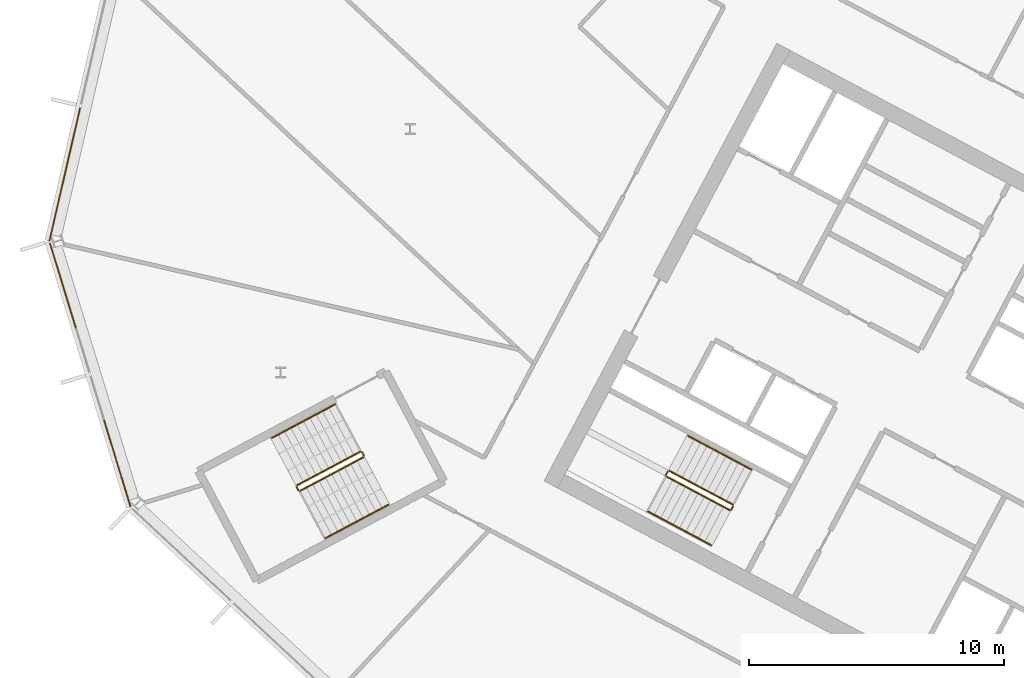
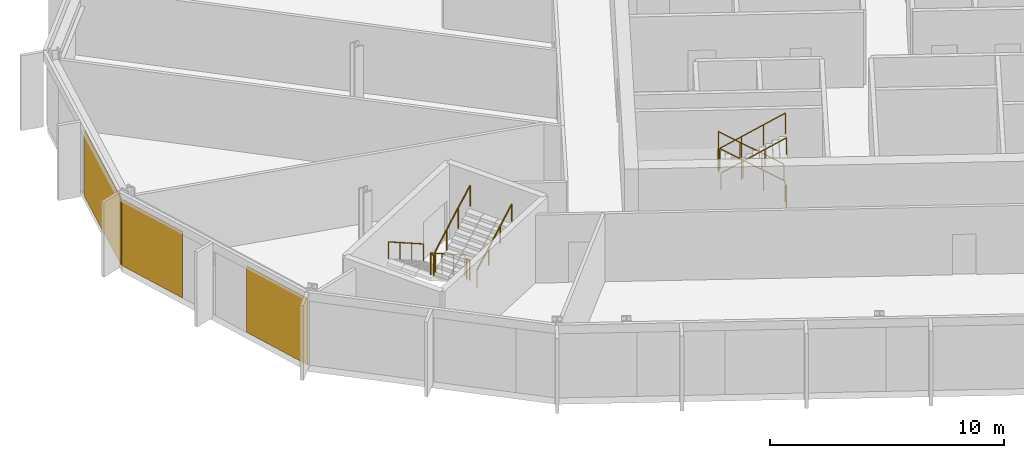
# One storey, part 21 of 27: 12 railings, 3 coverings, 2 elements without a shape of their own.
"""IFC4 building model written with IfcOpenShell, lengths in metres."""

from ifc_helpers import new_model, si_unit, direction, frame, origin, origin_2d, place, context, subcontext, project, spatial, polyline, rectangle, outline, extrude, material, layer, layer_set, type_object, element, aggregate, save


model = new_model("IFC4")

# Units and contexts
model_context = context("Model", 3, precision=1e-05, world=origin(), true_north=direction((0.0, 1.0)))
body_context = subcontext(model_context, "Body", "Model", "MODEL_VIEW")
ifc_project = project(units=[si_unit("LENGTHUNIT", "METRE"), si_unit("AREAUNIT", "SQUARE_METRE"), si_unit("VOLUMEUNIT", "CUBIC_METRE"), si_unit("PLANEANGLEUNIT", "RADIAN"), si_unit("MASSUNIT", "GRAM", prefix="KILO")], contexts=[model_context])

# Site, building, storey
site_placement = place(None, origin())
site = spatial("IfcSite", under=ifc_project, at=site_placement, CompositionType="ELEMENT")
building_placement = place(site_placement, origin())
building = spatial("IfcBuilding", under=site, at=building_placement, Name="Cormorant Relay Tower", CompositionType="ELEMENT")
storey_placement = place(building_placement, frame((0.0, 0.0, 201.300048828125)))
storey = spatial("IfcBuildingStorey", under=building, at=storey_placement, Name="L43", CompositionType="ELEMENT", Elevation=201.300048828125)

# Curtain wall, covering
ifc_material_1 = material(Name="Aluminium 6063-T6 anodised bronze", Category="aluminium")
ifc_layer_1 = layer(ifc_material_1, 0.199951171875)
ifc_layer_set_1 = layer_set([ifc_layer_1], Name="CW1 unitised bronze curtain wall with vertical fins")
curtain_wall_type = type_object("IfcCurtainWallType", Name="CW1 unitised bronze curtain wall with vertical fins", PredefinedType="NOTDEFINED", material=ifc_layer_set_1)
curtain_wall_1_placement = place(storey_placement, origin())
curtain_wall_1 = element("IfcCurtainWall", 1, at=curtain_wall_1_placement, inside=storey, type_object=curtain_wall_type, Name="CW1 curtain wall 13", PredefinedType="NOTDEFINED")
ifc_material_2 = material(Name="Pale bronze anodised aluminium insulated panel", Category="aluminium")
ifc_layer_2 = layer(ifc_material_2, 0.0400390625)
ifc_layer_set_2 = layer_set([ifc_layer_2], Name="CW1 pale bronze insulated panel 40")
covering_type = type_object("IfcCoveringType", Name="CW1 pale bronze insulated panel 40", PredefinedType="CLADDING", material=ifc_layer_set_2)
covering_1_placement = place(storey_placement, frame((-60.136474609375, 23.00927734375, 0.0), z_axis=(0.0, 0.0, 1.0), x_axis=(-0.224951054344, -0.974370064785, 0.0)))
covering_1 = element("IfcCovering", 2, at=covering_1_placement, type_object=covering_type, Name="CW1 panel S02", PredefinedType="CLADDING", context=body_context, shape_type="SweptSolid", body=[
    extrude(rectangle(XDim=5.360107421875, YDim=0.0400390625, at=origin_2d()), origin(), (0.0, 0.0, 1.0), 3.449951171875),
])
aggregate(curtain_wall_1, [covering_1])

# Curtain wall, coverings
curtain_wall_2_placement = place(storey_placement, origin())
curtain_wall_2 = element("IfcCurtainWall", 3, at=curtain_wall_2_placement, inside=storey, type_object=curtain_wall_type, Name="CW1 curtain wall 14", PredefinedType="NOTDEFINED")
covering_2_placement = place(storey_placement, frame((-60.20751953125, 18.6494140625, 0.0), z_axis=(0.0, 0.0, 1.0), x_axis=(0.292371704723, -0.956304755963, 0.0)))
covering_2 = element("IfcCovering", 4, at=covering_2_placement, type_object=covering_type, Name="CW1 panel S00", PredefinedType="CLADDING", context=body_context, shape_type="SweptSolid", body=[
    extrude(rectangle(XDim=3.485107421875, YDim=0.0400390625, at=origin_2d()), origin(), (0.0, 0.0, 1.0), 3.449951171875),
])
covering_3_placement = place(storey_placement, frame((-58.081298828125, 11.6943359375, 0.0), z_axis=(0.0, 0.0, 1.0), x_axis=(0.292371704723, -0.956304755963, 0.0)))
covering_3 = element("IfcCovering", 5, at=covering_3_placement, type_object=covering_type, Name="CW1 panel S03", PredefinedType="CLADDING", context=body_context, shape_type="SweptSolid", body=[
    extrude(rectangle(XDim=3.560302734375, YDim=0.0400390625, at=origin_2d()), origin(), (0.0, 0.0, 1.0), 3.449951171875),
])
aggregate(curtain_wall_2, [covering_2, covering_3])

# Railings
ifc_material_3 = material(Name="Steel ASTM A572 Grade 50 (Fy 345 MPa)", Category="steel")
railing_type_1 = type_object("IfcRailingType", Name="Stair guard 1100", PredefinedType="GUARDRAIL", material=ifc_material_3)
railing_1_placement = place(storey_placement, frame((-33.9921875, 10.08935546875, 0.17724609375)))
element("IfcRailing", 6, at=railing_1_placement, inside=storey, type_object=railing_type_1, Name="L43 A2 stair guard 1", PredefinedType="GUARDRAIL", context=body_context, shape_type="SweptSolid", body=[
    extrude(outline(polyline([(0.022216796875, 0.00927734375), (0.00927734375, 0.022216796875), (-0.00927734375, 0.022216796875), (-0.022216796875, 0.00927734375), (-0.022216796875, -0.00927734375), (-0.00927734375, -0.022216796875), (0.00927734375, -0.022216796875), (0.022216796875, -0.00927734375), (0.022216796875, 0.00927734375)])), frame((0.0, 0.0, 1.076171875), z_axis=(-0.746001213114, 0.396649272309, 0.534931345884), x_axis=(-0.469465464807, -0.882950835185, 0.0)), (0.0, 0.0, 1.0), 3.31396484375),
    extrude(outline(polyline([(0.019287109375, 0.008056640625), (0.008056640625, 0.019287109375), (-0.008056640625, 0.019287109375), (-0.019287109375, 0.008056640625), (-0.019287109375, -0.008056640625), (-0.008056640625, -0.019287109375), (0.008056640625, -0.019287109375), (0.019287109375, -0.008056640625), (0.019287109375, 0.008056640625)])), origin(), (0.0, 0.0, 1.0), 1.052001953125),
    extrude(outline(polyline([(0.019287109375, 0.008056640625), (0.008056640625, 0.019287109375), (-0.008056640625, 0.019287109375), (-0.019287109375, 0.008056640625), (-0.019287109375, -0.008056640625), (-0.008056640625, -0.019287109375), (0.008056640625, -0.019287109375), (0.019287109375, -0.008056640625), (0.019287109375, 0.008056640625)])), frame((-0.823974609375, 0.438232421875, 0.5908203125)), (0.0, 0.0, 1.0), 1.052001953125),
    extrude(outline(polyline([(0.019287109375, 0.008056640625), (0.008056640625, 0.019287109375), (-0.008056640625, 0.019287109375), (-0.019287109375, 0.008056640625), (-0.019287109375, -0.008056640625), (-0.008056640625, -0.019287109375), (0.008056640625, -0.019287109375), (0.019287109375, -0.008056640625), (0.019287109375, 0.008056640625)])), frame((-1.648193359375, 0.876220703125, 1.181884765625)), (0.0, 0.0, 1.0), 1.052001953125),
    extrude(outline(polyline([(0.019287109375, 0.008056640625), (0.008056640625, 0.019287109375), (-0.008056640625, 0.019287109375), (-0.019287109375, 0.008056640625), (-0.019287109375, -0.008056640625), (-0.008056640625, -0.019287109375), (0.008056640625, -0.019287109375), (0.019287109375, -0.008056640625), (0.019287109375, 0.008056640625)])), frame((-2.47216796875, 1.314453125, 1.772705078125)), (0.0, 0.0, 1.0), 1.052001953125),
])
railing_2_placement = place(storey_placement, frame((-36.531982421875, 11.38330078125, 1.949951171875)))
element("IfcRailing", 7, at=railing_2_placement, inside=storey, type_object=railing_type_1, Name="L43 A2 stair guard 2", PredefinedType="GUARDRAIL", context=body_context, shape_type="SweptSolid", body=[
    extrude(outline(polyline([(0.022216796875, 0.00927734375), (0.00927734375, 0.022216796875), (-0.00927734375, 0.022216796875), (-0.022216796875, 0.00927734375), (-0.022216796875, -0.00927734375), (-0.00927734375, -0.022216796875), (0.00927734375, -0.022216796875), (0.022216796875, -0.00927734375), (0.022216796875, 0.00927734375)])), frame((0.0, 0.0, 1.076171875), z_axis=(-0.469828648786, -0.882757634224, 0.0), x_axis=(0.882757634224, -0.469828648786, 0.0)), (0.0, 0.0, 1.0), 0.150146484375),
    extrude(outline(polyline([(0.019287109375, 0.008056640625), (0.008056640625, 0.019287109375), (-0.008056640625, 0.019287109375), (-0.019287109375, 0.008056640625), (-0.019287109375, -0.008056640625), (-0.008056640625, -0.019287109375), (0.008056640625, -0.019287109375), (0.019287109375, -0.008056640625), (0.019287109375, 0.008056640625)])), origin(), (0.0, 0.0, 1.0), 1.052001953125),
    extrude(outline(polyline([(0.019287109375, 0.008056640625), (0.008056640625, 0.019287109375), (-0.008056640625, 0.019287109375), (-0.019287109375, 0.008056640625), (-0.019287109375, -0.008056640625), (-0.008056640625, -0.019287109375), (0.008056640625, -0.019287109375), (0.019287109375, -0.008056640625), (0.019287109375, 0.008056640625)])), frame((-0.070556640625, -0.132568359375, 0.0)), (0.0, 0.0, 1.0), 1.052001953125),
])
railing_3_placement = place(storey_placement, frame((-36.581787109375, 11.18310546875, 2.127197265625)))
element("IfcRailing", 8, at=railing_3_placement, inside=storey, type_object=railing_type_1, Name="L43 A2 stair guard 3", PredefinedType="GUARDRAIL", context=body_context, shape_type="SweptSolid", body=[
    extrude(outline(polyline([(0.022216796875, 0.00927734375), (0.00927734375, 0.022216796875), (-0.00927734375, 0.022216796875), (-0.022216796875, 0.00927734375), (-0.022216796875, -0.00927734375), (-0.00927734375, -0.022216796875), (0.00927734375, -0.022216796875), (0.022216796875, -0.00927734375), (0.022216796875, 0.00927734375)])), frame((0.0, 0.0, 1.076171875), z_axis=(0.746001213114, -0.396649272309, 0.534931345884), x_axis=(0.469465464807, 0.882950835185, 0.0)), (0.0, 0.0, 1.0), 3.31396484375),
    extrude(outline(polyline([(0.019287109375, 0.008056640625), (0.008056640625, 0.019287109375), (-0.008056640625, 0.019287109375), (-0.019287109375, 0.008056640625), (-0.019287109375, -0.008056640625), (-0.008056640625, -0.019287109375), (0.008056640625, -0.019287109375), (0.019287109375, -0.008056640625), (0.019287109375, 0.008056640625)])), origin(), (0.0, 0.0, 1.0), 1.052001953125),
    extrude(outline(polyline([(0.019287109375, 0.008056640625), (0.008056640625, 0.019287109375), (-0.008056640625, 0.019287109375), (-0.019287109375, 0.008056640625), (-0.019287109375, -0.008056640625), (-0.008056640625, -0.019287109375), (0.008056640625, -0.019287109375), (0.019287109375, -0.008056640625), (0.019287109375, 0.008056640625)])), frame((0.823974609375, -0.438232421875, 0.5908203125)), (0.0, 0.0, 1.0), 1.052001953125),
    extrude(outline(polyline([(0.019287109375, 0.008056640625), (0.008056640625, 0.019287109375), (-0.008056640625, 0.019287109375), (-0.019287109375, 0.008056640625), (-0.019287109375, -0.008056640625), (-0.008056640625, -0.019287109375), (0.008056640625, -0.019287109375), (0.019287109375, -0.008056640625), (0.019287109375, 0.008056640625)])), frame((1.648193359375, -0.876220703125, 1.181884765625)), (0.0, 0.0, 1.0), 1.052001953125),
    extrude(outline(polyline([(0.019287109375, 0.008056640625), (0.008056640625, 0.019287109375), (-0.008056640625, 0.019287109375), (-0.019287109375, 0.008056640625), (-0.019287109375, -0.008056640625), (-0.008056640625, -0.019287109375), (0.008056640625, -0.019287109375), (0.019287109375, -0.008056640625), (0.019287109375, 0.008056640625)])), frame((2.47216796875, -1.314453125, 1.772705078125)), (0.0, 0.0, 1.0), 1.052001953125),
])
railing_4_placement = place(storey_placement, frame((-33.971435546875, 10.021728515625, 0.0)))
element("IfcRailing", 9, at=railing_4_placement, inside=storey, type_object=railing_type_1, Name="L43 A2 stair guard 4", PredefinedType="GUARDRAIL", context=body_context, shape_type="SweptSolid", body=[
    extrude(outline(polyline([(0.022216796875, 0.00927734375), (0.00927734375, 0.022216796875), (-0.00927734375, 0.022216796875), (-0.022216796875, 0.00927734375), (-0.022216796875, -0.00927734375), (-0.00927734375, -0.022216796875), (0.00927734375, -0.022216796875), (0.022216796875, -0.00927734375), (0.022216796875, 0.00927734375)])), frame((0.0, 0.0, 1.076171875), z_axis=(-0.470503732759, -0.882398003998, 0.0), x_axis=(0.882398003998, -0.470503732759, 0.0)), (0.0, 0.0, 1.0), 0.14990234375),
    extrude(outline(polyline([(0.019287109375, 0.008056640625), (0.008056640625, 0.019287109375), (-0.008056640625, 0.019287109375), (-0.019287109375, 0.008056640625), (-0.019287109375, -0.008056640625), (-0.008056640625, -0.019287109375), (0.008056640625, -0.019287109375), (0.019287109375, -0.008056640625), (0.019287109375, 0.008056640625)])), origin(), (0.0, 0.0, 1.0), 1.052001953125),
    extrude(outline(polyline([(0.019287109375, 0.008056640625), (0.008056640625, 0.019287109375), (-0.008056640625, 0.019287109375), (-0.019287109375, 0.008056640625), (-0.019287109375, -0.008056640625), (-0.008056640625, -0.019287109375), (0.008056640625, -0.019287109375), (0.019287109375, -0.008056640625), (0.019287109375, 0.008056640625)])), frame((-0.070556640625, -0.13232421875, 0.0)), (0.0, 0.0, 1.0), 1.052001953125),
])
railing_5_placement = place(storey_placement, frame((-48.5693359375, 12.155517578125, 0.17724609375)))
element("IfcRailing", 10, at=railing_5_placement, inside=storey, type_object=railing_type_1, Name="L43 RP1 stair guard 1", PredefinedType="GUARDRAIL", context=body_context, shape_type="SweptSolid", body=[
    extrude(outline(polyline([(0.022216796875, 0.00927734375), (0.00927734375, 0.022216796875), (-0.00927734375, 0.022216796875), (-0.022216796875, 0.00927734375), (-0.022216796875, -0.00927734375), (-0.00927734375, -0.022216796875), (0.00927734375, -0.022216796875), (0.022216796875, -0.00927734375), (0.022216796875, 0.00927734375)])), frame((0.0, 0.0, 1.076171875), z_axis=(-0.746012083385, -0.396689549623, 0.534886317514), x_axis=(0.469497295046, -0.882933910293, 0.0)), (0.0, 0.0, 1.0), 3.314208984375),
    extrude(outline(polyline([(0.019287109375, 0.008056640625), (0.008056640625, 0.019287109375), (-0.008056640625, 0.019287109375), (-0.019287109375, 0.008056640625), (-0.019287109375, -0.008056640625), (-0.008056640625, -0.019287109375), (0.008056640625, -0.019287109375), (0.019287109375, -0.008056640625), (0.019287109375, 0.008056640625)])), origin(), (0.0, 0.0, 1.0), 1.052001953125),
    extrude(outline(polyline([(0.019287109375, 0.008056640625), (0.008056640625, 0.019287109375), (-0.008056640625, 0.019287109375), (-0.019287109375, 0.008056640625), (-0.019287109375, -0.008056640625), (-0.008056640625, -0.019287109375), (0.008056640625, -0.019287109375), (0.019287109375, -0.008056640625), (0.019287109375, 0.008056640625)])), frame((-0.82421875, -0.438232421875, 0.5908203125)), (0.0, 0.0, 1.0), 1.052001953125),
    extrude(outline(polyline([(0.019287109375, 0.008056640625), (0.008056640625, 0.019287109375), (-0.008056640625, 0.019287109375), (-0.019287109375, 0.008056640625), (-0.019287109375, -0.008056640625), (-0.008056640625, -0.019287109375), (0.008056640625, -0.019287109375), (0.019287109375, -0.008056640625), (0.019287109375, 0.008056640625)])), frame((-1.648193359375, -0.87646484375, 1.181884765625)), (0.0, 0.0, 1.0), 1.052001953125),
    extrude(outline(polyline([(0.019287109375, 0.008056640625), (0.008056640625, 0.019287109375), (-0.008056640625, 0.019287109375), (-0.019287109375, 0.008056640625), (-0.019287109375, -0.008056640625), (-0.008056640625, -0.019287109375), (0.008056640625, -0.019287109375), (0.019287109375, -0.008056640625), (0.019287109375, 0.008056640625)])), frame((-2.472412109375, -1.314697265625, 1.772705078125)), (0.0, 0.0, 1.0), 1.052001953125),
])
railing_6_placement = place(storey_placement, frame((-51.062255859375, 10.773193359375, 1.949951171875)))
element("IfcRailing", 11, at=railing_6_placement, inside=storey, type_object=railing_type_1, Name="L43 RP1 stair guard 2", PredefinedType="GUARDRAIL", context=body_context, shape_type="SweptSolid", body=[
    extrude(outline(polyline([(0.022216796875, 0.00927734375), (0.00927734375, 0.022216796875), (-0.00927734375, 0.022216796875), (-0.022216796875, 0.00927734375), (-0.022216796875, -0.00927734375), (-0.00927734375, -0.022216796875), (0.00927734375, -0.022216796875), (0.022216796875, -0.00927734375), (0.022216796875, 0.00927734375)])), frame((0.0, 0.0, 1.076171875), z_axis=(0.469234640946, -0.883073525669, 0.0), x_axis=(0.883073525669, 0.469234640946, 0.0)), (0.0, 0.0, 1.0), 0.14990234375),
    extrude(outline(polyline([(0.019287109375, 0.008056640625), (0.008056640625, 0.019287109375), (-0.008056640625, 0.019287109375), (-0.019287109375, 0.008056640625), (-0.019287109375, -0.008056640625), (-0.008056640625, -0.019287109375), (0.008056640625, -0.019287109375), (0.019287109375, -0.008056640625), (0.019287109375, 0.008056640625)])), origin(), (0.0, 0.0, 1.0), 1.052001953125),
    extrude(outline(polyline([(0.019287109375, 0.008056640625), (0.008056640625, 0.019287109375), (-0.008056640625, 0.019287109375), (-0.019287109375, 0.008056640625), (-0.019287109375, -0.008056640625), (-0.008056640625, -0.019287109375), (0.008056640625, -0.019287109375), (0.019287109375, -0.008056640625), (0.019287109375, 0.008056640625)])), frame((0.0703125, -0.13232421875, 0.0)), (0.0, 0.0, 1.0), 1.052001953125),
])
railing_7_placement = place(storey_placement, frame((-50.92431640625, 10.6201171875, 2.127197265625)))
element("IfcRailing", 12, at=railing_7_placement, inside=storey, type_object=railing_type_1, Name="L43 RP1 stair guard 3", PredefinedType="GUARDRAIL", context=body_context, shape_type="SweptSolid", body=[
    extrude(outline(polyline([(0.022216796875, 0.00927734375), (0.00927734375, 0.022216796875), (-0.00927734375, 0.022216796875), (-0.022216796875, 0.00927734375), (-0.022216796875, -0.00927734375), (-0.00927734375, -0.022216796875), (0.00927734375, -0.022216796875), (0.022216796875, -0.00927734375), (0.022216796875, 0.00927734375)])), frame((0.0, 0.0, 1.076171875), z_axis=(0.746033882577, 0.396627473466, 0.534901947407), x_axis=(-0.469429322983, 0.882970050864, 0.0)), (0.0, 0.0, 1.0), 3.31396484375),
    extrude(outline(polyline([(0.019287109375, 0.008056640625), (0.008056640625, 0.019287109375), (-0.008056640625, 0.019287109375), (-0.019287109375, 0.008056640625), (-0.019287109375, -0.008056640625), (-0.008056640625, -0.019287109375), (0.008056640625, -0.019287109375), (0.019287109375, -0.008056640625), (0.019287109375, 0.008056640625)])), origin(), (0.0, 0.0, 1.0), 1.052001953125),
    extrude(outline(polyline([(0.019287109375, 0.008056640625), (0.008056640625, 0.019287109375), (-0.008056640625, 0.019287109375), (-0.019287109375, 0.008056640625), (-0.019287109375, -0.008056640625), (-0.008056640625, -0.019287109375), (0.008056640625, -0.019287109375), (0.019287109375, -0.008056640625), (0.019287109375, 0.008056640625)])), frame((0.82421875, 0.438232421875, 0.5908203125)), (0.0, 0.0, 1.0), 1.052001953125),
    extrude(outline(polyline([(0.019287109375, 0.008056640625), (0.008056640625, 0.019287109375), (-0.008056640625, 0.019287109375), (-0.019287109375, 0.008056640625), (-0.019287109375, -0.008056640625), (-0.008056640625, -0.019287109375), (0.008056640625, -0.019287109375), (0.019287109375, -0.008056640625), (0.019287109375, 0.008056640625)])), frame((1.648193359375, 0.876220703125, 1.181884765625)), (0.0, 0.0, 1.0), 1.052001953125),
    extrude(outline(polyline([(0.019287109375, 0.008056640625), (0.008056640625, 0.019287109375), (-0.008056640625, 0.019287109375), (-0.019287109375, 0.008056640625), (-0.019287109375, -0.008056640625), (-0.008056640625, -0.019287109375), (0.008056640625, -0.019287109375), (0.019287109375, -0.008056640625), (0.019287109375, 0.008056640625)])), frame((2.472412109375, 1.314453125, 1.772705078125)), (0.0, 0.0, 1.0), 1.052001953125),
])
railing_8_placement = place(storey_placement, frame((-48.501708984375, 12.134765625, 0.0)))
element("IfcRailing", 13, at=railing_8_placement, inside=storey, type_object=railing_type_1, Name="L43 RP1 stair guard 4", PredefinedType="GUARDRAIL", context=body_context, shape_type="SweptSolid", body=[
    extrude(outline(polyline([(0.022216796875, 0.00927734375), (0.00927734375, 0.022216796875), (-0.00927734375, 0.022216796875), (-0.022216796875, 0.00927734375), (-0.022216796875, -0.00927734375), (-0.00927734375, -0.022216796875), (0.00927734375, -0.022216796875), (0.022216796875, -0.00927734375), (0.022216796875, 0.00927734375)])), frame((0.0, 0.0, 1.076171875), z_axis=(0.46856034887, -0.8834314911, 0.0), x_axis=(0.8834314911, 0.46856034887, 0.0)), (0.0, 0.0, 1.0), 0.150146484375),
    extrude(outline(polyline([(0.019287109375, 0.008056640625), (0.008056640625, 0.019287109375), (-0.008056640625, 0.019287109375), (-0.019287109375, 0.008056640625), (-0.019287109375, -0.008056640625), (-0.008056640625, -0.019287109375), (0.008056640625, -0.019287109375), (0.019287109375, -0.008056640625), (0.019287109375, 0.008056640625)])), origin(), (0.0, 0.0, 1.0), 1.052001953125),
    extrude(outline(polyline([(0.019287109375, 0.008056640625), (0.008056640625, 0.019287109375), (-0.008056640625, 0.019287109375), (-0.019287109375, 0.008056640625), (-0.019287109375, -0.008056640625), (-0.008056640625, -0.019287109375), (0.008056640625, -0.019287109375), (0.019287109375, -0.008056640625), (0.019287109375, 0.008056640625)])), frame((0.0703125, -0.132568359375, 0.0)), (0.0, 0.0, 1.0), 1.052001953125),
])
ifc_material_4 = material(Name="Steel ASTM A572 Grade 50 (Fy 345 MPa)", Category="steel")
railing_type_2 = type_object("IfcRailingType", Name="Stair handrail 900", PredefinedType="HANDRAIL", material=ifc_material_4)
railing_9_placement = place(storey_placement, frame((-33.264404296875, 11.4580078125, 0.17724609375)))
element("IfcRailing", 14, at=railing_9_placement, inside=storey, type_object=railing_type_2, Name="L43 A2 stair handrail 1", PredefinedType="HANDRAIL", context=body_context, shape_type="SweptSolid", body=[
    extrude(outline(polyline([(0.022216796875, 0.00927734375), (0.00927734375, 0.022216796875), (-0.00927734375, 0.022216796875), (-0.022216796875, 0.00927734375), (-0.022216796875, -0.00927734375), (-0.00927734375, -0.022216796875), (0.00927734375, -0.022216796875), (0.022216796875, -0.00927734375), (0.022216796875, 0.00927734375)])), frame((0.0, 0.0, 0.8759765625), z_axis=(-0.746033882577, 0.396627473466, 0.534901947407), x_axis=(-0.469429322983, -0.882970050864, 0.0)), (0.0, 0.0, 1.0), 3.31396484375),
    extrude(outline(polyline([(0.019287109375, 0.008056640625), (0.008056640625, 0.019287109375), (-0.008056640625, 0.019287109375), (-0.019287109375, 0.008056640625), (-0.019287109375, -0.008056640625), (-0.008056640625, -0.019287109375), (0.008056640625, -0.019287109375), (0.019287109375, -0.008056640625), (0.019287109375, 0.008056640625)])), origin(), (0.0, 0.0, 1.0), 0.851806640625),
    extrude(outline(polyline([(0.019287109375, 0.008056640625), (0.008056640625, 0.019287109375), (-0.008056640625, 0.019287109375), (-0.019287109375, 0.008056640625), (-0.019287109375, -0.008056640625), (-0.008056640625, -0.019287109375), (0.008056640625, -0.019287109375), (0.019287109375, -0.008056640625), (0.019287109375, 0.008056640625)])), frame((-0.82421875, 0.438232421875, 0.5908203125)), (0.0, 0.0, 1.0), 0.851806640625),
    extrude(outline(polyline([(0.019287109375, 0.008056640625), (0.008056640625, 0.019287109375), (-0.008056640625, 0.019287109375), (-0.019287109375, 0.008056640625), (-0.019287109375, -0.008056640625), (-0.008056640625, -0.019287109375), (0.008056640625, -0.019287109375), (0.019287109375, -0.008056640625), (0.019287109375, 0.008056640625)])), frame((-1.648193359375, 0.876220703125, 1.181884765625)), (0.0, 0.0, 1.0), 0.851806640625),
    extrude(outline(polyline([(0.019287109375, 0.008056640625), (0.008056640625, 0.019287109375), (-0.008056640625, 0.019287109375), (-0.019287109375, 0.008056640625), (-0.019287109375, -0.008056640625), (-0.008056640625, -0.019287109375), (0.008056640625, -0.019287109375), (0.019287109375, -0.008056640625), (0.019287109375, 0.008056640625)])), frame((-2.472412109375, 1.314453125, 1.772705078125)), (0.0, 0.0, 1.0), 0.851806640625),
])
railing_10_placement = place(storey_placement, frame((-37.3095703125, 9.814453125, 2.127197265625)))
element("IfcRailing", 15, at=railing_10_placement, inside=storey, type_object=railing_type_2, Name="L43 A2 stair handrail 2", PredefinedType="HANDRAIL", context=body_context, shape_type="SweptSolid", body=[
    extrude(outline(polyline([(0.022216796875, 0.00927734375), (0.00927734375, 0.022216796875), (-0.00927734375, 0.022216796875), (-0.022216796875, 0.00927734375), (-0.022216796875, -0.00927734375), (-0.00927734375, -0.022216796875), (0.00927734375, -0.022216796875), (0.022216796875, -0.00927734375), (0.022216796875, 0.00927734375)])), frame((0.0, 0.0, 0.8759765625), z_axis=(0.746033882577, -0.396627473466, 0.534901947407), x_axis=(0.469429322983, 0.882970050864, 0.0)), (0.0, 0.0, 1.0), 3.31396484375),
    extrude(outline(polyline([(0.019287109375, 0.008056640625), (0.008056640625, 0.019287109375), (-0.008056640625, 0.019287109375), (-0.019287109375, 0.008056640625), (-0.019287109375, -0.008056640625), (-0.008056640625, -0.019287109375), (0.008056640625, -0.019287109375), (0.019287109375, -0.008056640625), (0.019287109375, 0.008056640625)])), origin(), (0.0, 0.0, 1.0), 0.851806640625),
    extrude(outline(polyline([(0.019287109375, 0.008056640625), (0.008056640625, 0.019287109375), (-0.008056640625, 0.019287109375), (-0.019287109375, 0.008056640625), (-0.019287109375, -0.008056640625), (-0.008056640625, -0.019287109375), (0.008056640625, -0.019287109375), (0.019287109375, -0.008056640625), (0.019287109375, 0.008056640625)])), frame((0.82421875, -0.438232421875, 0.5908203125)), (0.0, 0.0, 1.0), 0.851806640625),
    extrude(outline(polyline([(0.019287109375, 0.008056640625), (0.008056640625, 0.019287109375), (-0.008056640625, 0.019287109375), (-0.019287109375, 0.008056640625), (-0.019287109375, -0.008056640625), (-0.008056640625, -0.019287109375), (0.008056640625, -0.019287109375), (0.019287109375, -0.008056640625), (0.019287109375, 0.008056640625)])), frame((1.648193359375, -0.876220703125, 1.181884765625)), (0.0, 0.0, 1.0), 0.851806640625),
    extrude(outline(polyline([(0.019287109375, 0.008056640625), (0.008056640625, 0.019287109375), (-0.008056640625, 0.019287109375), (-0.019287109375, 0.008056640625), (-0.019287109375, -0.008056640625), (-0.008056640625, -0.019287109375), (0.008056640625, -0.019287109375), (0.019287109375, -0.008056640625), (0.019287109375, 0.008056640625)])), frame((2.472412109375, -1.314453125, 1.772705078125)), (0.0, 0.0, 1.0), 0.851806640625),
])
railing_11_placement = place(storey_placement, frame((-49.55517578125, 14.009521484375, 0.17724609375)))
element("IfcRailing", 16, at=railing_11_placement, inside=storey, type_object=railing_type_2, Name="L43 RP1 stair handrail 1", PredefinedType="HANDRAIL", context=body_context, shape_type="SweptSolid", body=[
    extrude(outline(polyline([(0.022216796875, 0.00927734375), (0.00927734375, 0.022216796875), (-0.00927734375, 0.022216796875), (-0.022216796875, 0.00927734375), (-0.022216796875, -0.00927734375), (-0.00927734375, -0.022216796875), (0.00927734375, -0.022216796875), (0.022216796875, -0.00927734375), (0.022216796875, 0.00927734375)])), frame((0.0, 0.0, 0.8759765625), z_axis=(-0.746033882577, -0.396627473466, 0.534901947407), x_axis=(0.469429322983, -0.882970050864, 0.0)), (0.0, 0.0, 1.0), 3.31396484375),
    extrude(outline(polyline([(0.019287109375, 0.008056640625), (0.008056640625, 0.019287109375), (-0.008056640625, 0.019287109375), (-0.019287109375, 0.008056640625), (-0.019287109375, -0.008056640625), (-0.008056640625, -0.019287109375), (0.008056640625, -0.019287109375), (0.019287109375, -0.008056640625), (0.019287109375, 0.008056640625)])), origin(), (0.0, 0.0, 1.0), 0.851806640625),
    extrude(outline(polyline([(0.019287109375, 0.008056640625), (0.008056640625, 0.019287109375), (-0.008056640625, 0.019287109375), (-0.019287109375, 0.008056640625), (-0.019287109375, -0.008056640625), (-0.008056640625, -0.019287109375), (0.008056640625, -0.019287109375), (0.019287109375, -0.008056640625), (0.019287109375, 0.008056640625)])), frame((-0.82421875, -0.438232421875, 0.5908203125)), (0.0, 0.0, 1.0), 0.851806640625),
    extrude(outline(polyline([(0.019287109375, 0.008056640625), (0.008056640625, 0.019287109375), (-0.008056640625, 0.019287109375), (-0.019287109375, 0.008056640625), (-0.019287109375, -0.008056640625), (-0.008056640625, -0.019287109375), (0.008056640625, -0.019287109375), (0.019287109375, -0.008056640625), (0.019287109375, 0.008056640625)])), frame((-1.648193359375, -0.876220703125, 1.181884765625)), (0.0, 0.0, 1.0), 0.851806640625),
    extrude(outline(polyline([(0.019287109375, 0.008056640625), (0.008056640625, 0.019287109375), (-0.008056640625, 0.019287109375), (-0.019287109375, 0.008056640625), (-0.019287109375, -0.008056640625), (-0.008056640625, -0.019287109375), (0.008056640625, -0.019287109375), (0.019287109375, -0.008056640625), (0.019287109375, 0.008056640625)])), frame((-2.472412109375, -1.314453125, 1.772705078125)), (0.0, 0.0, 1.0), 0.851806640625),
])
railing_12_placement = place(storey_placement, frame((-49.9384765625, 8.765869140625, 2.127197265625)))
element("IfcRailing", 17, at=railing_12_placement, inside=storey, type_object=railing_type_2, Name="L43 RP1 stair handrail 2", PredefinedType="HANDRAIL", context=body_context, shape_type="SweptSolid", body=[
    extrude(outline(polyline([(0.022216796875, 0.00927734375), (0.00927734375, 0.022216796875), (-0.00927734375, 0.022216796875), (-0.022216796875, 0.00927734375), (-0.022216796875, -0.00927734375), (-0.00927734375, -0.022216796875), (0.00927734375, -0.022216796875), (0.022216796875, -0.00927734375), (0.022216796875, 0.00927734375)])), frame((0.0, 0.0, 0.8759765625), z_axis=(0.746012083385, 0.396689549623, 0.534886317514), x_axis=(-0.469497295046, 0.882933910293, 0.0)), (0.0, 0.0, 1.0), 3.314208984375),
    extrude(outline(polyline([(0.019287109375, 0.008056640625), (0.008056640625, 0.019287109375), (-0.008056640625, 0.019287109375), (-0.019287109375, 0.008056640625), (-0.019287109375, -0.008056640625), (-0.008056640625, -0.019287109375), (0.008056640625, -0.019287109375), (0.019287109375, -0.008056640625), (0.019287109375, 0.008056640625)])), origin(), (0.0, 0.0, 1.0), 0.851806640625),
    extrude(outline(polyline([(0.019287109375, 0.008056640625), (0.008056640625, 0.019287109375), (-0.008056640625, 0.019287109375), (-0.019287109375, 0.008056640625), (-0.019287109375, -0.008056640625), (-0.008056640625, -0.019287109375), (0.008056640625, -0.019287109375), (0.019287109375, -0.008056640625), (0.019287109375, 0.008056640625)])), frame((0.82421875, 0.438232421875, 0.5908203125)), (0.0, 0.0, 1.0), 0.851806640625),
    extrude(outline(polyline([(0.019287109375, 0.008056640625), (0.008056640625, 0.019287109375), (-0.008056640625, 0.019287109375), (-0.019287109375, 0.008056640625), (-0.019287109375, -0.008056640625), (-0.008056640625, -0.019287109375), (0.008056640625, -0.019287109375), (0.019287109375, -0.008056640625), (0.019287109375, 0.008056640625)])), frame((1.648193359375, 0.87646484375, 1.181884765625)), (0.0, 0.0, 1.0), 0.851806640625),
    extrude(outline(polyline([(0.019287109375, 0.008056640625), (0.008056640625, 0.019287109375), (-0.008056640625, 0.019287109375), (-0.019287109375, 0.008056640625), (-0.019287109375, -0.008056640625), (-0.008056640625, -0.019287109375), (0.008056640625, -0.019287109375), (0.019287109375, -0.008056640625), (0.019287109375, 0.008056640625)])), frame((2.472412109375, 1.314697265625, 1.772705078125)), (0.0, 0.0, 1.0), 0.851806640625),
])

save(model, "model.ifc")
